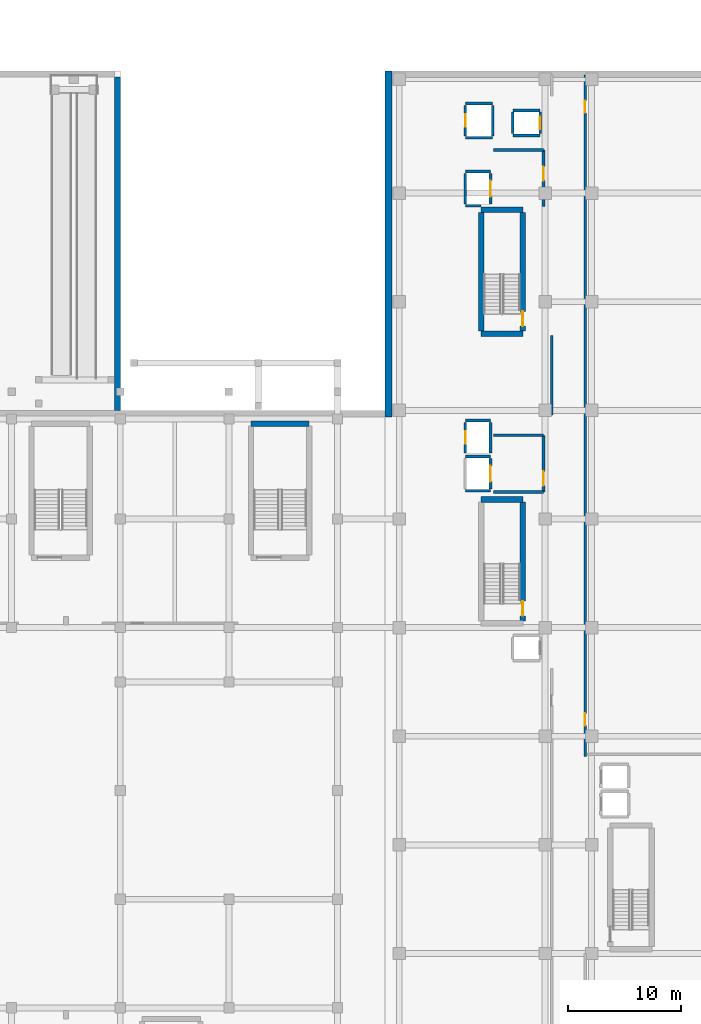
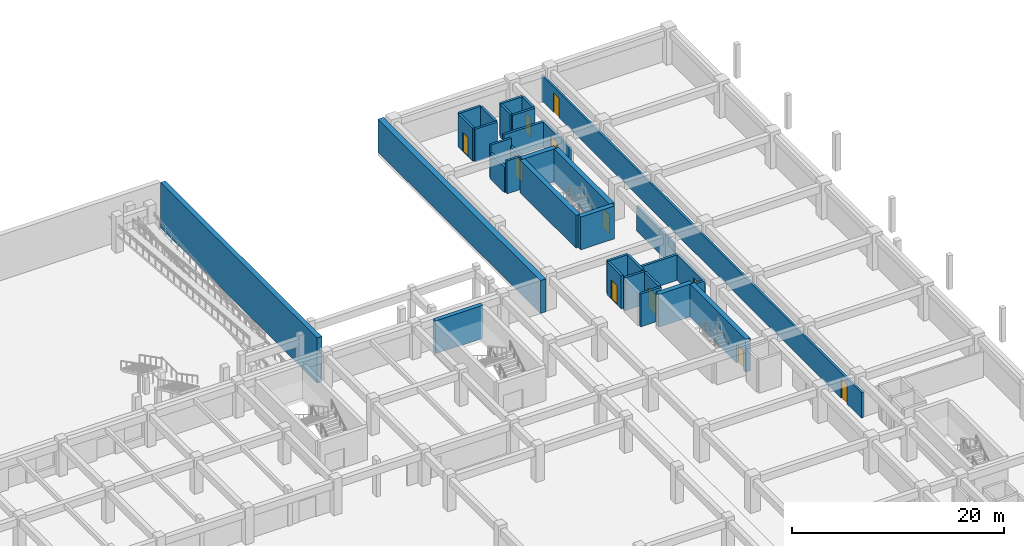
# One storey, part 18 of 39: 34 walls, 11 doors, 11 openings.
"""IFC4 building model written with IfcOpenShell, lengths in metres."""

from ifc_helpers import new_model, si_unit, direction, frame, frame_2d, origin, place, context, subcontext, project, spatial, rectangle, extrude, material, layer, layer_set, type_object, element, fill, save


model = new_model("IFC4")

# Units and contexts
model_context = context("Model", 3, precision=1e-05, world=origin(), true_north=direction((0.0, 1.0)))
body_context = subcontext(model_context, "Body", "Model", "MODEL_VIEW")
ifc_project = project(units=[si_unit("LENGTHUNIT", "METRE"), si_unit("AREAUNIT", "SQUARE_METRE"), si_unit("VOLUMEUNIT", "CUBIC_METRE"), si_unit("PLANEANGLEUNIT", "RADIAN"), si_unit("MASSUNIT", "GRAM", prefix="KILO")], contexts=[model_context])

# Site, building, storey
site_placement = place(None, origin())
site = spatial("IfcSite", under=ifc_project, at=site_placement, CompositionType="ELEMENT")
building_placement = place(site_placement, origin())
building = spatial("IfcBuilding", under=site, at=building_placement, Name="Nakhvara Creek Congress Hotel", CompositionType="ELEMENT")
storey_placement = place(building_placement, frame((0.0, 0.0, -4.199951171875)))
storey = spatial("IfcBuildingStorey", under=building, at=storey_placement, Name="B1", CompositionType="ELEMENT", Elevation=-4.199951171875)

# Walls
ifc_material_1 = material(Name="Concrete C50/60", Category="concrete")
ifc_layer_1 = layer(ifc_material_1, 0.449951171875)
ifc_layer_set_1 = layer_set([ifc_layer_1], Name="Concrete C50/60")
wall_type_1 = type_object("IfcWallType", Name="W-CORE-450", PredefinedType="SHEAR", material=ifc_layer_set_1)
wall_1_placement = place(storey_placement, frame((136.35009765625, 94.820068359375, 0.0), z_axis=(0.0, 0.0, 1.0), x_axis=(1.0, 0.0, 0.0)))
element("IfcWall", 1, at=wall_1_placement, inside=storey, type_object=wall_type_1, Name="Core Shear Wall WS02-CWALL-B1-0916", PredefinedType="SHEAR", context=body_context, shape_type="SweptSolid", body=[
    extrude(rectangle(XDim=5.14990234375, YDim=0.449951171875, at=frame_2d((2.574951171875, 0.0))), origin(), (0.0, 0.0, 1.0), 3.780029296875),
])
ifc_layer_2 = layer(ifc_material_1, 0.5)
ifc_layer_set_2 = layer_set([ifc_layer_2], Name="Concrete C50/60")
wall_type_2 = type_object("IfcWallType", Name="W-CORE-500", PredefinedType="SHEAR", material=ifc_layer_set_2)
wall_2_placement = place(storey_placement, frame((156.699951171875, 88.1201171875, 0.0), z_axis=(0.0, 0.0, 1.0), x_axis=(1.0, 0.0, 0.0)))
element("IfcWall", 2, at=wall_2_placement, inside=storey, type_object=wall_type_2, Name="Core Shear Wall WS01-CWALL-B1-0020", PredefinedType="SHEAR", context=body_context, shape_type="SweptSolid", body=[
    extrude(rectangle(XDim=3.670166015625, YDim=0.5, at=frame_2d((1.8349609375, 0.0))), origin(), (0.0, 0.0, 1.0), 3.780029296875),
])

# Wall, opening, door
wall_3_placement = place(storey_placement, frame((160.3701171875, 77.39990234375, 0.0), z_axis=(0.0, 0.0, 1.0), x_axis=(0.0, 1.0, 0.0)))
wall_3 = element("IfcWall", 3, at=wall_3_placement, inside=storey, type_object=wall_type_2, Name="Core Shear Wall WS01-CWALL-B1-0022", PredefinedType="SHEAR", context=body_context, shape_type="SweptSolid", body=[
    extrude(rectangle(XDim=10.5, YDim=0.5, at=frame_2d((5.25, 0.0))), origin(), (0.0, 0.0, 1.0), 3.780029296875),
])
opening_1_placement = place(wall_3_placement, frame((0.449951171875, 0.0, 0.0)))
opening_1 = element("IfcOpeningElement", 4, at=opening_1_placement, cuts=wall_3, Name="Opening FD04", PredefinedType="OPENING", context=body_context, shape_type="SweptSolid", body=[
    extrude(rectangle(XDim=1.300048828125, YDim=2.14990234375, at=frame_2d((0.64990234375, 1.074951171875))), frame((0.0, 0.261962890625, 0.0), z_axis=(0.0, -1.0, 0.0), x_axis=(1.0, 0.0, 0.0)), (0.0, 0.0, 1.0), 0.52392578125),
])
ifc_material_2 = material(Name="Powder-coated steel fire door", Category="steel")
door_type_1 = type_object("IfcDoorType", Name="DT-STAIR-130", OperationType="NOTDEFINED", PredefinedType="DOOR", material=ifc_material_2)
door_1_placement = place(opening_1_placement, frame((1.300048828125, 0.0, 0.0), z_axis=(0.0, 0.0, 1.0), x_axis=(-1.0, 0.0, 0.0)))
door_1 = element("IfcDoor", 5, at=door_1_placement, inside=storey, type_object=door_type_1, Name="Stair Exit Door ST01-B1", OperationType="SINGLE_SWING_LEFT", OverallHeight=2.14990234375, OverallWidth=1.300048828125, PredefinedType="DOOR", context=body_context, shape_type="SweptSolid", body=[
    extrude(rectangle(XDim=1.300048828125, YDim=2.14990234375, at=frame_2d((0.64990234375, 1.074951171875))), frame((0.0, 0.02490234375, 0.0), z_axis=(0.0, -1.0, 0.0), x_axis=(1.0, 0.0, 0.0)), (0.0, 0.0, 1.0), 0.050048828125),
])
fill(opening_1, door_1)

# Walls
for number, where, z_axis, x_axis, name in (
    (6, (156.699951171875, 102.780029296875, 0.0), (0.0, 0.0, 1.0), (1.0, 0.0, 0.0), "Core Shear Wall WS01-CWALL-B1-0286"),
    (7, (156.699951171875, 113.719970703125, 0.0), (0.0, 0.0, 1.0), (1.0, 0.0, 0.0), "Core Shear Wall WS01-CWALL-B1-0287"),
):
    element("IfcWall", number, at=place(storey_placement, frame(where, z_axis=z_axis, x_axis=x_axis)), inside=storey, type_object=wall_type_2, Name=name, PredefinedType="SHEAR", context=body_context, shape_type="SweptSolid", body=[
        extrude(rectangle(XDim=3.670166015625, YDim=0.5, at=frame_2d((1.8349609375, 0.0))), origin(), (0.0, 0.0, 1.0), 3.780029296875),
    ])
wall_4_placement = place(storey_placement, frame((156.699951171875, 103.0, 0.0), z_axis=(0.0, 0.0, 1.0), x_axis=(0.0, 1.0, 0.0)))
element("IfcWall", 8, at=wall_4_placement, inside=storey, type_object=wall_type_2, Name="Core Shear Wall WS01-CWALL-B1-0288", PredefinedType="SHEAR", context=body_context, shape_type="SweptSolid", body=[
    extrude(rectangle(XDim=10.5, YDim=0.5, at=frame_2d((5.25, 0.0))), origin(), (0.0, 0.0, 1.0), 3.780029296875),
])

# Wall, opening, door
wall_5_placement = place(storey_placement, frame((160.3701171875, 103.0, 0.0), z_axis=(0.0, 0.0, 1.0), x_axis=(0.0, 1.0, 0.0)))
wall_5 = element("IfcWall", 9, at=wall_5_placement, inside=storey, type_object=wall_type_2, Name="Core Shear Wall WS01-CWALL-B1-0289", PredefinedType="SHEAR", context=body_context, shape_type="SweptSolid", body=[
    extrude(rectangle(XDim=10.5, YDim=0.5, at=frame_2d((5.25, 0.0))), origin(), (0.0, 0.0, 1.0), 3.780029296875),
])
opening_2_placement = place(wall_5_placement, frame((0.449951171875, 0.0, 0.0)))
opening_2 = element("IfcOpeningElement", 10, at=opening_2_placement, cuts=wall_5, Name="Opening FD04", PredefinedType="OPENING", context=body_context, shape_type="SweptSolid", body=[
    extrude(rectangle(XDim=1.300048828125, YDim=2.14990234375, at=frame_2d((0.64990234375, 1.074951171875))), frame((0.0, 0.261962890625, 0.0), z_axis=(0.0, -1.0, 0.0), x_axis=(1.0, 0.0, 0.0)), (0.0, 0.0, 1.0), 0.52392578125),
])
door_2_placement = place(opening_2_placement, frame((1.300048828125, 0.0, 0.0), z_axis=(0.0, 0.0, 1.0), x_axis=(-1.0, 0.0, 0.0)))
door_2 = element("IfcDoor", 11, at=door_2_placement, inside=storey, type_object=door_type_1, Name="Stair Exit Door ST02-B1", OperationType="SINGLE_SWING_LEFT", OverallHeight=2.14990234375, OverallWidth=1.300048828125, PredefinedType="DOOR", context=body_context, shape_type="SweptSolid", body=[
    extrude(rectangle(XDim=1.300048828125, YDim=2.14990234375, at=frame_2d((0.64990234375, 1.074951171875))), frame((0.0, 0.02490234375, 0.0), z_axis=(0.0, -1.0, 0.0), x_axis=(1.0, 0.0, 0.0)), (0.0, 0.0, 1.0), 0.050048828125),
])
fill(opening_2, door_2)

# Wall
ifc_material_3 = material(Name="Gypsum acoustic board on steel stud", Category="steel")
ifc_layer_3 = layer(ifc_material_3, 0.219970703125)
ifc_layer_set_3 = layer_set([ifc_layer_3], Name="Gypsum acoustic board on steel stud")
wall_type_3 = type_object("IfcWallType", Name="W-CORR-220", PredefinedType="PARTITIONING", material=ifc_layer_set_3)
wall_6_placement = place(storey_placement, frame((162.919921875, 95.60009765625, 0.0), z_axis=(0.0, 0.0, 1.0), x_axis=(0.0, 1.0, 0.0)))
element("IfcWall", 12, at=wall_6_placement, inside=storey, type_object=wall_type_3, Name="Interior Wall WP11-IW-B1-0040", PredefinedType="PARTITIONING", context=body_context, shape_type="SweptSolid", body=[
    extrude(rectangle(XDim=7.0, YDim=0.219970703125, at=frame_2d((3.5, 0.0))), origin(), (0.0, 0.0, 1.0), 2.931884765625),
])

# Wall, openings, doors
wall_7_placement = place(storey_placement, frame((165.8798828125, 65.39990234375, 0.0), z_axis=(0.0, 0.0, 1.0), x_axis=(0.0, 1.0, 0.0)))
wall_7 = element("IfcWall", 13, at=wall_7_placement, inside=storey, type_object=wall_type_3, Name="Interior Wall WP11-IW-B1-0044", PredefinedType="PARTITIONING", context=body_context, shape_type="SweptSolid", body=[
    extrude(rectangle(XDim=60.25, YDim=0.219970703125, at=frame_2d((30.125, 0.0))), origin(), (0.0, 0.0, 1.0), 2.931884765625),
])
opening_3_placement = place(wall_7_placement, frame((2.75, 0.0, 0.0)))
opening_3 = element("IfcOpeningElement", 14, at=opening_3_placement, cuts=wall_7, Name="Opening GD02", PredefinedType="OPENING", context=body_context, shape_type="SweptSolid", body=[
    extrude(rectangle(XDim=1.080078125, YDim=2.25, at=frame_2d((0.5400390625, 1.125))), frame((0.0, 0.1220703125, 0.0), z_axis=(0.0, -1.0, 0.0), x_axis=(1.0, 0.0, 0.0)), (0.0, 0.0, 1.0), 0.243896484375),
])
opening_4_placement = place(wall_7_placement, frame((56.89990234375, 0.0, 0.0)))
opening_4 = element("IfcOpeningElement", 15, at=opening_4_placement, cuts=wall_7, Name="Opening GD02", PredefinedType="OPENING", context=body_context, shape_type="SweptSolid", body=[
    extrude(rectangle(XDim=1.080078125, YDim=2.25, at=frame_2d((0.5400390625, 1.125))), frame((0.0, 0.1220703125, 0.0), z_axis=(0.0, -1.0, 0.0), x_axis=(1.0, 0.0, 0.0)), (0.0, 0.0, 1.0), 0.243896484375),
])
ifc_material_4 = material(Name="Walnut hardwood timber fire door", Category="wood")
door_type_2 = type_object("IfcDoorType", Name="DT-GUEST-108", OperationType="NOTDEFINED", PredefinedType="DOOR", material=ifc_material_4)
door_3_placement = place(opening_3_placement, origin())
door_3 = element("IfcDoor", 16, at=door_3_placement, inside=storey, type_object=door_type_2, Name="Interior Door GD02-0053", OperationType="SINGLE_SWING_RIGHT", OverallHeight=2.25, OverallWidth=1.080078125, PredefinedType="DOOR", context=body_context, shape_type="SweptSolid", body=[
    extrude(rectangle(XDim=1.080078125, YDim=2.25, at=frame_2d((0.5400390625, 1.125))), frame((0.0, 0.02490234375, 0.0), z_axis=(0.0, -1.0, 0.0), x_axis=(1.0, 0.0, 0.0)), (0.0, 0.0, 1.0), 0.050048828125),
])
fill(opening_3, door_3)
door_4_placement = place(opening_4_placement, origin())
door_4 = element("IfcDoor", 17, at=door_4_placement, inside=storey, type_object=door_type_2, Name="Interior Door GD02-0054", OperationType="SINGLE_SWING_LEFT", OverallHeight=2.25, OverallWidth=1.080078125, PredefinedType="DOOR", context=body_context, shape_type="SweptSolid", body=[
    extrude(rectangle(XDim=1.080078125, YDim=2.25, at=frame_2d((0.5400390625, 1.125))), frame((0.0, 0.02490234375, 0.0), z_axis=(0.0, -1.0, 0.0), x_axis=(1.0, 0.0, 0.0)), (0.0, 0.0, 1.0), 0.050048828125),
])
fill(opening_4, door_4)

# Wall, opening, door
ifc_material_5 = material(Name="Concrete C40/50", Category="concrete")
ifc_layer_4 = layer(ifc_material_5, 0.260009765625)
ifc_layer_set_4 = layer_set([ifc_layer_4], Name="Concrete C40/50")
wall_type_4 = type_object("IfcWallType", Name="W-FFL-260", PredefinedType="SOLIDWALL", material=ifc_layer_set_4)
wall_8_placement = place(storey_placement, frame((162.199951171875, 88.800048828125, 0.0), z_axis=(0.0, 0.0, 1.0), x_axis=(0.0, 1.0, 0.0)))
wall_8 = element("IfcWall", 18, at=wall_8_placement, inside=storey, type_object=wall_type_4, Name="Core Shear Wall WI03-CWALL-B1-0034", PredefinedType="SOLIDWALL", context=body_context, shape_type="SweptSolid", body=[
    extrude(rectangle(XDim=5.0, YDim=0.260009765625, at=frame_2d((2.5, 0.0))), origin(), (0.0, 0.0, 1.0), 2.931884765625),
])
opening_5_placement = place(wall_8_placement, frame((0.550048828125, 0.0, 0.0)))
opening_5 = element("IfcOpeningElement", 19, at=opening_5_placement, cuts=wall_8, Name="Opening FD05", PredefinedType="OPENING", context=body_context, shape_type="SweptSolid", body=[
    extrude(rectangle(XDim=1.25, YDim=2.14990234375, at=frame_2d((0.625, 1.074951171875))), frame((0.0, 0.14208984375, 0.0), z_axis=(0.0, -1.0, 0.0), x_axis=(1.0, 0.0, 0.0)), (0.0, 0.0, 1.0), 0.283935546875),
])
ifc_material_6 = material(Name="Hardwood-veneered steel fire door", Category="steel")
door_type_3 = type_object("IfcDoorType", Name="DT-FFL-125", OperationType="NOTDEFINED", PredefinedType="DOOR", material=ifc_material_6)
door_5_placement = place(opening_5_placement, origin())
door_5 = element("IfcDoor", 20, at=door_5_placement, inside=storey, type_object=door_type_3, Name="Firefighting Lobby Door C1-B1", OperationType="DOUBLE_DOOR_SINGLE_SWING", OverallHeight=2.14990234375, OverallWidth=1.25, PredefinedType="DOOR", context=body_context, shape_type="SweptSolid", body=[
    extrude(rectangle(XDim=1.25, YDim=2.14990234375, at=frame_2d((0.625, 1.074951171875))), frame((0.0, 0.02490234375, 0.0), z_axis=(0.0, -1.0, 0.0), x_axis=(1.0, 0.0, 0.0)), (0.0, 0.0, 1.0), 0.050048828125),
])
fill(opening_5, door_5)

# Walls
for number, where, z_axis, x_axis, name in (
    (21, (157.800048828125, 88.800048828125, 0.0), (0.0, 0.0, 1.0), (1.0, 0.0, 0.0), "Core Shear Wall WI03-CWALL-B1-0035"),
    (22, (157.800048828125, 93.800048828125, 0.0), (0.0, 0.0, 1.0), (1.0, 0.0, 0.0), "Core Shear Wall WI03-CWALL-B1-0036"),
):
    element("IfcWall", number, at=place(storey_placement, frame(where, z_axis=z_axis, x_axis=x_axis)), inside=storey, type_object=wall_type_4, Name=name, PredefinedType="SOLIDWALL", context=body_context, shape_type="SweptSolid", body=[
        extrude(rectangle(XDim=4.39990234375, YDim=0.260009765625, at=frame_2d((2.199951171875, 0.0))), origin(), (0.0, 0.0, 1.0), 2.931884765625),
    ])

# Wall, opening, door
wall_9_placement = place(storey_placement, frame((162.199951171875, 114.0, 0.0), z_axis=(0.0, 0.0, 1.0), x_axis=(0.0, 1.0, 0.0)))
wall_9 = element("IfcWall", 23, at=wall_9_placement, inside=storey, type_object=wall_type_4, Name="Core Shear Wall WI03-CWALL-B1-0302", PredefinedType="SOLIDWALL", context=body_context, shape_type="SweptSolid", body=[
    extrude(rectangle(XDim=5.0, YDim=0.260009765625, at=frame_2d((2.5, 0.0))), origin(), (0.0, 0.0, 1.0), 2.931884765625),
])
opening_6_placement = place(wall_9_placement, frame((2.300048828125, 0.0, 0.0)))
opening_6 = element("IfcOpeningElement", 24, at=opening_6_placement, cuts=wall_9, Name="Opening FD05", PredefinedType="OPENING", context=body_context, shape_type="SweptSolid", body=[
    extrude(rectangle(XDim=1.25, YDim=2.14990234375, at=frame_2d((0.625, 1.074951171875))), frame((0.0, 0.14208984375, 0.0), z_axis=(0.0, -1.0, 0.0), x_axis=(1.0, 0.0, 0.0)), (0.0, 0.0, 1.0), 0.283935546875),
])
door_6_placement = place(opening_6_placement, origin())
door_6 = element("IfcDoor", 25, at=door_6_placement, inside=storey, type_object=door_type_3, Name="Firefighting Lobby Door C2-B1", OperationType="DOUBLE_DOOR_SINGLE_SWING", OverallHeight=2.14990234375, OverallWidth=1.25, PredefinedType="DOOR", context=body_context, shape_type="SweptSolid", body=[
    extrude(rectangle(XDim=1.25, YDim=2.14990234375, at=frame_2d((0.625, 1.074951171875))), frame((0.0, 0.02490234375, 0.0), z_axis=(0.0, -1.0, 0.0), x_axis=(1.0, 0.0, 0.0)), (0.0, 0.0, 1.0), 0.050048828125),
])
fill(opening_6, door_6)

# Walls
wall_10_placement = place(storey_placement, frame((157.800048828125, 119.0, 0.0), z_axis=(0.0, 0.0, 1.0), x_axis=(1.0, 0.0, 0.0)))
element("IfcWall", 26, at=wall_10_placement, inside=storey, type_object=wall_type_4, Name="Core Shear Wall WI03-CWALL-B1-0303", PredefinedType="SOLIDWALL", context=body_context, shape_type="SweptSolid", body=[
    extrude(rectangle(XDim=4.39990234375, YDim=0.260009765625, at=frame_2d((2.199951171875, 0.0))), origin(), (0.0, 0.0, 1.0), 2.931884765625),
])
ifc_layer_5 = layer(ifc_material_5, 0.52001953125)
ifc_layer_set_5 = layer_set([ifc_layer_5], Name="Concrete C40/50")
wall_type_5 = type_object("IfcWallType", Name="W-RET-520", PredefinedType="USERDEFINED", material=ifc_layer_set_5)
wall_11_placement = place(storey_placement, frame((124.5400390625, 125.47998046875, 0.0), z_axis=(0.0, 0.0, 1.0), x_axis=(0.0, -1.0, 0.0)))
element("IfcWall", 27, at=wall_11_placement, inside=storey, type_object=wall_type_5, Name="Exterior Wall WR02-EW-B1-0023", ObjectType="RETAININGWALL", PredefinedType="USERDEFINED", context=body_context, shape_type="SweptSolid", body=[
    extrude(rectangle(XDim=29.47998046875, YDim=0.52001953125, at=frame_2d((14.739990234375, 0.0))), origin(), (0.0, 0.0, 1.0), 5.199951171875),
])
ifc_layer_6 = layer(ifc_material_5, 0.60009765625)
ifc_layer_set_6 = layer_set([ifc_layer_6], Name="Concrete C40/50")
wall_type_6 = type_object("IfcWallType", Name="W-RET-600", PredefinedType="USERDEFINED", material=ifc_layer_set_6)
wall_12_placement = place(storey_placement, frame((148.5, 95.39990234375, 0.0), z_axis=(0.0, 0.0, 1.0), x_axis=(0.0, 1.0, 0.0)))
element("IfcWall", 28, at=wall_12_placement, inside=storey, type_object=wall_type_6, Name="Exterior Wall WR01-EW-B1-0015", ObjectType="RETAININGWALL", PredefinedType="USERDEFINED", context=body_context, shape_type="SweptSolid", body=[
    extrude(rectangle(XDim=30.60009765625, YDim=0.60009765625, at=frame_2d((15.300048828125, 0.0))), origin(), (0.0, 0.0, 1.0), 3.780029296875),
])
ifc_layer_7 = layer(ifc_material_5, 0.25)
ifc_layer_set_7 = layer_set([ifc_layer_7], Name="Concrete C40/50")
wall_type_7 = type_object("IfcWallType", Name="W-SHAFT-250", PredefinedType="SOLIDWALL", material=ifc_layer_set_7)
for number, where, z_axis, x_axis, name in (
    (29, (155.2900390625, 88.889892578125, 0.0), (0.0, 0.0, 1.0), (1.0, 0.0, 0.0), "Core Shear Wall WI02-CWALL-B1-0023"),
    (30, (155.2900390625, 91.909912109375, 0.0), (0.0, 0.0, 1.0), (1.0, 0.0, 0.0), "Core Shear Wall WI02-CWALL-B1-0024"),
):
    element("IfcWall", number, at=place(storey_placement, frame(where, z_axis=z_axis, x_axis=x_axis)), inside=storey, type_object=wall_type_7, Name=name, PredefinedType="SOLIDWALL", context=body_context, shape_type="SweptSolid", body=[
        extrude(rectangle(XDim=2.219970703125, YDim=0.25, at=frame_2d((1.10986328125, 0.0))), origin(), (0.0, 0.0, 1.0), 3.780029296875),
    ])

# Wall, opening, door
wall_13_placement = place(storey_placement, frame((157.510009765625, 89.050048828125, 0.0), z_axis=(0.0, 0.0, 1.0), x_axis=(0.0, 1.0, 0.0)))
wall_13 = element("IfcWall", 31, at=wall_13_placement, inside=storey, type_object=wall_type_7, Name="Core Shear Wall WI02-CWALL-B1-0026", PredefinedType="SOLIDWALL", context=body_context, shape_type="SweptSolid", body=[
    extrude(rectangle(XDim=2.699951171875, YDim=0.25, at=frame_2d((1.35009765625, 0.0))), origin(), (0.0, 0.0, 1.0), 3.780029296875),
])
opening_7_placement = place(wall_13_placement, frame((0.64990234375, 0.0, 0.0)))
opening_7 = element("IfcOpeningElement", 32, at=opening_7_placement, cuts=wall_13, Name="Opening LD02", PredefinedType="OPENING", context=body_context, shape_type="SweptSolid", body=[
    extrude(rectangle(XDim=1.39990234375, YDim=2.300048828125, at=frame_2d((0.699951171875, 1.14990234375))), frame((0.0, 0.136962890625, 0.0), z_axis=(0.0, -1.0, 0.0), x_axis=(1.0, 0.0, 0.0)), (0.0, 0.0, 1.0), 0.27392578125),
])
ifc_material_7 = material(Name="Brushed stainless steel heavy goods landing door", Category="steel")
door_type_4 = type_object("IfcDoorType", Name="DT-LIFT-140", OperationType="DOUBLE_DOOR_SLIDING", PredefinedType="DOOR", material=ifc_material_7)
door_7_placement = place(opening_7_placement, origin())
door_7 = element("IfcDoor", 33, at=door_7_placement, inside=storey, type_object=door_type_4, Name="Landing Door FFL1-B1", OperationType="SLIDING_TO_LEFT", OverallHeight=2.300048828125, OverallWidth=1.39990234375, PredefinedType="DOOR", context=body_context, shape_type="SweptSolid", body=[
    extrude(rectangle(XDim=1.39990234375, YDim=2.300048828125, at=frame_2d((0.699951171875, 1.14990234375))), frame((0.0, 0.02490234375, 0.0), z_axis=(0.0, -1.0, 0.0), x_axis=(1.0, 0.0, 0.0)), (0.0, 0.0, 1.0), 0.050048828125),
])
fill(opening_7, door_7)

# Wall
wall_14_placement = place(storey_placement, frame((155.2900390625, 95.110107421875, 0.0), z_axis=(0.0, 0.0, 1.0), x_axis=(1.0, 0.0, 0.0)))
element("IfcWall", 34, at=wall_14_placement, inside=storey, type_object=wall_type_7, Name="Core Shear Wall WI02-CWALL-B1-0027", PredefinedType="SOLIDWALL", context=body_context, shape_type="SweptSolid", body=[
    extrude(rectangle(XDim=2.219970703125, YDim=0.25, at=frame_2d((1.10986328125, 0.0))), origin(), (0.0, 0.0, 1.0), 3.780029296875),
])

# Wall, opening, door
wall_15_placement = place(storey_placement, frame((155.2900390625, 92.25, 0.0), z_axis=(0.0, 0.0, 1.0), x_axis=(0.0, 1.0, 0.0)))
wall_15 = element("IfcWall", 35, at=wall_15_placement, inside=storey, type_object=wall_type_7, Name="Core Shear Wall WI02-CWALL-B1-0028", PredefinedType="SOLIDWALL", context=body_context, shape_type="SweptSolid", body=[
    extrude(rectangle(XDim=2.699951171875, YDim=0.25, at=frame_2d((1.35009765625, 0.0))), origin(), (0.0, 0.0, 1.0), 3.780029296875),
])
opening_8_placement = place(wall_15_placement, frame((0.800048828125, 0.0, 0.0)))
opening_8 = element("IfcOpeningElement", 36, at=opening_8_placement, cuts=wall_15, Name="Opening LD01", PredefinedType="OPENING", context=body_context, shape_type="SweptSolid", body=[
    extrude(rectangle(XDim=1.10009765625, YDim=2.199951171875, at=frame_2d((0.550048828125, 1.10009765625))), frame((0.0, 0.136962890625, 0.0), z_axis=(0.0, -1.0, 0.0), x_axis=(1.0, 0.0, 0.0)), (0.0, 0.0, 1.0), 0.27392578125),
])
ifc_material_8 = material(Name="Brushed stainless steel sliding landing door", Category="steel")
door_type_5 = type_object("IfcDoorType", Name="DT-LIFT-110", OperationType="DOUBLE_DOOR_SLIDING", PredefinedType="DOOR", material=ifc_material_8)
door_8_placement = place(opening_8_placement, origin())
door_8 = element("IfcDoor", 37, at=door_8_placement, inside=storey, type_object=door_type_5, Name="Landing Door SL01-B1", OperationType="SLIDING_TO_LEFT", OverallHeight=2.199951171875, OverallWidth=1.10009765625, PredefinedType="DOOR", context=body_context, shape_type="SweptSolid", body=[
    extrude(rectangle(XDim=1.10009765625, YDim=2.199951171875, at=frame_2d((0.550048828125, 1.10009765625))), frame((0.0, 0.02490234375, 0.0), z_axis=(0.0, -1.0, 0.0), x_axis=(1.0, 0.0, 0.0)), (0.0, 0.0, 1.0), 0.050048828125),
])
fill(opening_8, door_8)

# Walls
wall_16_placement = place(storey_placement, frame((157.510009765625, 92.25, 0.0), z_axis=(0.0, 0.0, 1.0), x_axis=(0.0, 1.0, 0.0)))
element("IfcWall", 38, at=wall_16_placement, inside=storey, type_object=wall_type_7, Name="Core Shear Wall WI02-CWALL-B1-0029", PredefinedType="SOLIDWALL", context=body_context, shape_type="SweptSolid", body=[
    extrude(rectangle(XDim=2.699951171875, YDim=0.25, at=frame_2d((1.35009765625, 0.0))), origin(), (0.0, 0.0, 1.0), 3.780029296875),
])
wall_17_placement = place(storey_placement, frame((155.2900390625, 114.090087890625, 0.0), z_axis=(0.0, 0.0, 1.0), x_axis=(1.0, 0.0, 0.0)))
element("IfcWall", 39, at=wall_17_placement, inside=storey, type_object=wall_type_7, Name="Core Shear Wall WI02-CWALL-B1-0290", PredefinedType="SOLIDWALL", context=body_context, shape_type="SweptSolid", body=[
    extrude(rectangle(XDim=1.39990234375, YDim=0.25, at=frame_2d((0.699951171875, 0.0))), origin(), (0.0, 0.0, 1.0), 3.780029296875),
])
wall_18_placement = place(storey_placement, frame((155.2900390625, 117.110107421875, 0.0), z_axis=(0.0, 0.0, 1.0), x_axis=(1.0, 0.0, 0.0)))
element("IfcWall", 40, at=wall_18_placement, inside=storey, type_object=wall_type_7, Name="Core Shear Wall WI02-CWALL-B1-0291", PredefinedType="SOLIDWALL", context=body_context, shape_type="SweptSolid", body=[
    extrude(rectangle(XDim=2.219970703125, YDim=0.25, at=frame_2d((1.10986328125, 0.0))), origin(), (0.0, 0.0, 1.0), 3.780029296875),
])
wall_19_placement = place(storey_placement, frame((155.2900390625, 114.25, 0.0), z_axis=(0.0, 0.0, 1.0), x_axis=(0.0, 1.0, 0.0)))
element("IfcWall", 41, at=wall_19_placement, inside=storey, type_object=wall_type_7, Name="Core Shear Wall WI02-CWALL-B1-0292", PredefinedType="SOLIDWALL", context=body_context, shape_type="SweptSolid", body=[
    extrude(rectangle(XDim=2.699951171875, YDim=0.25, at=frame_2d((1.35009765625, 0.0))), origin(), (0.0, 0.0, 1.0), 2.931884765625),
])

# Wall, opening, door
wall_20_placement = place(storey_placement, frame((157.510009765625, 114.25, 0.0), z_axis=(0.0, 0.0, 1.0), x_axis=(0.0, 1.0, 0.0)))
wall_20 = element("IfcWall", 42, at=wall_20_placement, inside=storey, type_object=wall_type_7, Name="Core Shear Wall WI02-CWALL-B1-0293", PredefinedType="SOLIDWALL", context=body_context, shape_type="SweptSolid", body=[
    extrude(rectangle(XDim=2.699951171875, YDim=0.25, at=frame_2d((1.35009765625, 0.0))), origin(), (0.0, 0.0, 1.0), 2.931884765625),
])
opening_9_placement = place(wall_20_placement, frame((0.64990234375, 0.0, 0.0)))
opening_9 = element("IfcOpeningElement", 43, at=opening_9_placement, cuts=wall_20, Name="Opening LD02", PredefinedType="OPENING", context=body_context, shape_type="SweptSolid", body=[
    extrude(rectangle(XDim=1.39990234375, YDim=2.300048828125, at=frame_2d((0.699951171875, 1.14990234375))), frame((0.0, 0.136962890625, 0.0), z_axis=(0.0, -1.0, 0.0), x_axis=(1.0, 0.0, 0.0)), (0.0, 0.0, 1.0), 0.27392578125),
])
door_9_placement = place(opening_9_placement, origin())
door_9 = element("IfcDoor", 44, at=door_9_placement, inside=storey, type_object=door_type_4, Name="Landing Door FFL2-B1", OperationType="SLIDING_TO_LEFT", OverallHeight=2.300048828125, OverallWidth=1.39990234375, PredefinedType="DOOR", context=body_context, shape_type="SweptSolid", body=[
    extrude(rectangle(XDim=1.39990234375, YDim=2.300048828125, at=frame_2d((0.699951171875, 1.14990234375))), frame((0.0, 0.02490234375, 0.0), z_axis=(0.0, -1.0, 0.0), x_axis=(1.0, 0.0, 0.0)), (0.0, 0.0, 1.0), 0.050048828125),
])
fill(opening_9, door_9)

# Walls
for number, where, z_axis, x_axis, name in (
    (45, (159.489990234375, 120.2900390625, 0.0), (0.0, 0.0, 1.0), (1.0, 0.0, 0.0), "Core Shear Wall WI02-CWALL-B1-0294"),
    (46, (159.489990234375, 122.510009765625, 0.0), (0.0, 0.0, 1.0), (1.0, 0.0, 0.0), "Core Shear Wall WI02-CWALL-B1-0295"),
):
    element("IfcWall", number, at=place(storey_placement, frame(where, z_axis=z_axis, x_axis=x_axis)), inside=storey, type_object=wall_type_7, Name=name, PredefinedType="SOLIDWALL", context=body_context, shape_type="SweptSolid", body=[
        extrude(rectangle(XDim=2.419921875, YDim=0.25, at=frame_2d((1.2099609375, 0.0))), origin(), (0.0, 0.0, 1.0), 3.780029296875),
    ])
wall_21_placement = place(storey_placement, frame((159.489990234375, 120.449951171875, 0.0), z_axis=(0.0, 0.0, 1.0), x_axis=(0.0, 1.0, 0.0)))
element("IfcWall", 47, at=wall_21_placement, inside=storey, type_object=wall_type_7, Name="Core Shear Wall WI02-CWALL-B1-0296", PredefinedType="SOLIDWALL", context=body_context, shape_type="SweptSolid", body=[
    extrude(rectangle(XDim=1.900146484375, YDim=0.25, at=frame_2d((0.9501953125, 0.0))), origin(), (0.0, 0.0, 1.0), 3.780029296875),
])

# Wall, opening, door
wall_22_placement = place(storey_placement, frame((161.909912109375, 120.449951171875, 0.0), z_axis=(0.0, 0.0, 1.0), x_axis=(0.0, 1.0, 0.0)))
wall_22 = element("IfcWall", 48, at=wall_22_placement, inside=storey, type_object=wall_type_7, Name="Core Shear Wall WI02-CWALL-B1-0297", PredefinedType="SOLIDWALL", context=body_context, shape_type="SweptSolid", body=[
    extrude(rectangle(XDim=1.900146484375, YDim=0.25, at=frame_2d((0.9501953125, 0.0))), origin(), (0.0, 0.0, 1.0), 3.780029296875),
])
opening_10_placement = place(wall_22_placement, frame((0.39990234375, 0.0, 0.0)))
opening_10 = element("IfcOpeningElement", 49, at=opening_10_placement, cuts=wall_22, Name="Opening LD01", PredefinedType="OPENING", context=body_context, shape_type="SweptSolid", body=[
    extrude(rectangle(XDim=1.10009765625, YDim=2.199951171875, at=frame_2d((0.550048828125, 1.10009765625))), frame((0.0, 0.136962890625, 0.0), z_axis=(0.0, -1.0, 0.0), x_axis=(1.0, 0.0, 0.0)), (0.0, 0.0, 1.0), 0.27392578125),
])
door_10_placement = place(opening_10_placement, origin())
door_10 = element("IfcDoor", 50, at=door_10_placement, inside=storey, type_object=door_type_5, Name="Landing Door PL01-B1", OperationType="SLIDING_TO_LEFT", OverallHeight=2.199951171875, OverallWidth=1.10009765625, PredefinedType="DOOR", context=body_context, shape_type="SweptSolid", body=[
    extrude(rectangle(XDim=1.10009765625, YDim=2.199951171875, at=frame_2d((0.550048828125, 1.10009765625))), frame((0.0, 0.02490234375, 0.0), z_axis=(0.0, -1.0, 0.0), x_axis=(1.0, 0.0, 0.0)), (0.0, 0.0, 1.0), 0.050048828125),
])
fill(opening_10, door_10)

# Walls
for number, where, z_axis, x_axis, name in (
    (51, (155.2900390625, 120.090087890625, 0.0), (0.0, 0.0, 1.0), (1.0, 0.0, 0.0), "Core Shear Wall WI02-CWALL-B1-0298"),
    (52, (155.2900390625, 123.110107421875, 0.0), (0.0, 0.0, 1.0), (1.0, 0.0, 0.0), "Core Shear Wall WI02-CWALL-B1-0299"),
):
    element("IfcWall", number, at=place(storey_placement, frame(where, z_axis=z_axis, x_axis=x_axis)), inside=storey, type_object=wall_type_7, Name=name, PredefinedType="SOLIDWALL", context=body_context, shape_type="SweptSolid", body=[
        extrude(rectangle(XDim=2.419921875, YDim=0.25, at=frame_2d((1.2099609375, 0.0))), origin(), (0.0, 0.0, 1.0), 3.780029296875),
    ])

# Wall, opening, door
wall_23_placement = place(storey_placement, frame((155.2900390625, 120.25, 0.0), z_axis=(0.0, 0.0, 1.0), x_axis=(0.0, 1.0, 0.0)))
wall_23 = element("IfcWall", 53, at=wall_23_placement, inside=storey, type_object=wall_type_7, Name="Core Shear Wall WI02-CWALL-B1-0300", PredefinedType="SOLIDWALL", context=body_context, shape_type="SweptSolid", body=[
    extrude(rectangle(XDim=2.699951171875, YDim=0.25, at=frame_2d((1.35009765625, 0.0))), origin(), (0.0, 0.0, 1.0), 3.780029296875),
])
opening_11_placement = place(wall_23_placement, frame((0.800048828125, 0.0, 0.0)))
opening_11 = element("IfcOpeningElement", 54, at=opening_11_placement, cuts=wall_23, Name="Opening LD01", PredefinedType="OPENING", context=body_context, shape_type="SweptSolid", body=[
    extrude(rectangle(XDim=1.10009765625, YDim=2.199951171875, at=frame_2d((0.550048828125, 1.10009765625))), frame((0.0, 0.136962890625, 0.0), z_axis=(0.0, -1.0, 0.0), x_axis=(1.0, 0.0, 0.0)), (0.0, 0.0, 1.0), 0.27392578125),
])
door_11_placement = place(opening_11_placement, origin())
door_11 = element("IfcDoor", 55, at=door_11_placement, inside=storey, type_object=door_type_5, Name="Landing Door SL02-B1", OperationType="SLIDING_TO_LEFT", OverallHeight=2.199951171875, OverallWidth=1.10009765625, PredefinedType="DOOR", context=body_context, shape_type="SweptSolid", body=[
    extrude(rectangle(XDim=1.10009765625, YDim=2.199951171875, at=frame_2d((0.550048828125, 1.10009765625))), frame((0.0, 0.02490234375, 0.0), z_axis=(0.0, -1.0, 0.0), x_axis=(1.0, 0.0, 0.0)), (0.0, 0.0, 1.0), 0.050048828125),
])
fill(opening_11, door_11)

# Wall
wall_24_placement = place(storey_placement, frame((157.7099609375, 120.25, 0.0), z_axis=(0.0, 0.0, 1.0), x_axis=(0.0, 1.0, 0.0)))
element("IfcWall", 56, at=wall_24_placement, inside=storey, type_object=wall_type_7, Name="Core Shear Wall WI02-CWALL-B1-0301", PredefinedType="SOLIDWALL", context=body_context, shape_type="SweptSolid", body=[
    extrude(rectangle(XDim=2.699951171875, YDim=0.25, at=frame_2d((1.35009765625, 0.0))), origin(), (0.0, 0.0, 1.0), 3.780029296875),
])

save(model, "model.ifc")
